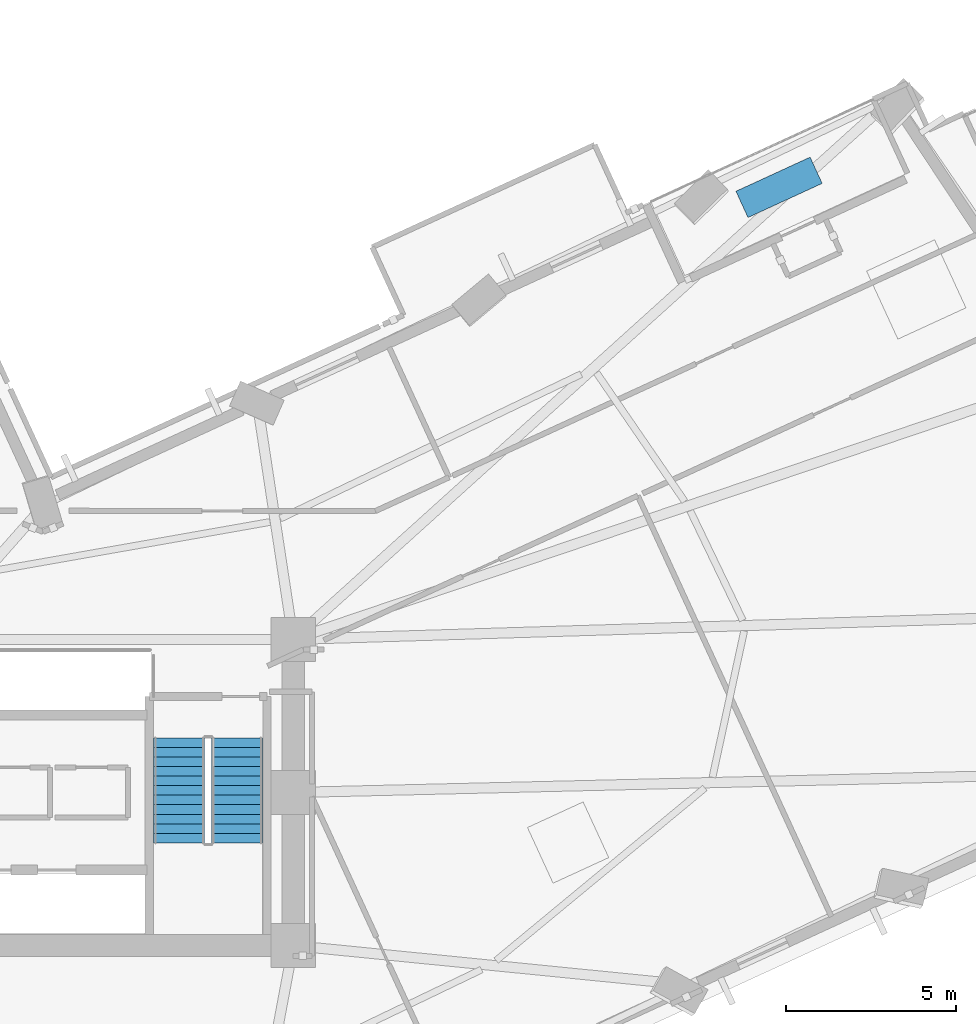
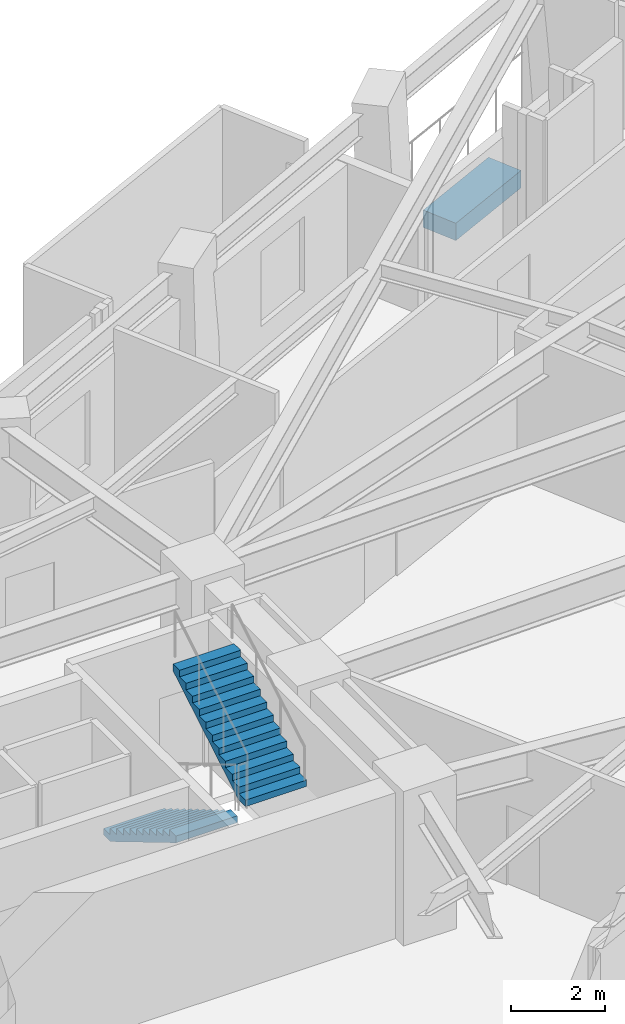
# One storey, part 11 of 16: 2 stair flights, 1 discrete accessory, 1 element without a shape of its own.
"""IFC4 building model written with IfcOpenShell, lengths in metres."""

import ifcopenshell
import ifcopenshell.guid

model = None  # the IFC model being written
_history = None  # IfcOwnerHistory: only IFC2X3 demands one
_inside = {}  # id of a spatial element -> (the spatial element, [elements in it])
_under = {}  # id of a project, library or spatial element -> (it, [spatial elements below it])
_declared = {}  # id of a project -> (the project, [libraries it declares])
_typed = {}  # id of a type object -> (the type object, [elements of that type])
_made_of = {}  # id of a material, layer set ... -> (it, [elements and type objects made of it])


def new_model(schema):
    """Start an empty IFC model of exactly this schema.

    Asked for "IFC4X3", IfcOpenShell would pick the latest addendum, in which some entities
    have other attributes; the version numbers below select the first issue.
    IFC2X3 requires an IfcOwnerHistory on every rooted entity: one is made here for all.
    """
    global model, _history
    if schema == "IFC4X3":
        model = ifcopenshell.file(schema_version=(4, 3, 0, 0))
    else:
        model = ifcopenshell.file(schema=schema)
    _inside.clear()
    _under.clear()
    _declared.clear()
    _typed.clear()
    _made_of.clear()
    _history = None
    if model.schema == "IFC2X3":
        org = make("IfcOrganization", Name="unknown")
        user = make(
            "IfcPersonAndOrganization",
            ThePerson=make("IfcPerson", FamilyName="unknown"),
            TheOrganization=org,
        )
        app = make(
            "IfcApplication",
            ApplicationDeveloper=org,
            Version="unknown",
            ApplicationFullName="unknown",
            ApplicationIdentifier="unknown",
        )
        _history = make(
            "IfcOwnerHistory",
            OwningUser=user,
            OwningApplication=app,
            ChangeAction="ADDED",
            CreationDate=0,
        )
    return model


def make(cls, **values):
    """One entity of the class cls with the attributes given. An attribute that is None is left unset."""
    return model.create_entity(
        cls, **{name: value for name, value in values.items() if value is not None}
    )


def rooted(cls, **values):
    """An entity with a GlobalId (a new one), such as an element, a storey or a relation."""
    return make(cls, GlobalId=ifcopenshell.guid.new(), OwnerHistory=_history, **values)


def si_unit(unit_type, name, prefix=None):
    """IfcSIUnit, for example si_unit("LENGTHUNIT", "METRE", prefix="MILLI")."""
    return make("IfcSIUnit", UnitType=unit_type, Prefix=prefix, Name=name)


def assignment(units):
    """IfcUnitAssignment: the units of a project."""
    return None if units is None else make("IfcUnitAssignment", Units=units)


def point(xyz):
    """IfcCartesianPoint."""
    return None if xyz is None else make("IfcCartesianPoint", Coordinates=xyz)


def direction(xyz):
    """IfcDirection."""
    return None if xyz is None else make("IfcDirection", DirectionRatios=xyz)


def frame(location, z_axis=None, x_axis=None):
    """IfcAxis2Placement3D, a coordinate frame: its origin and axes. An axis left out is left unset."""
    return make(
        "IfcAxis2Placement3D",
        Location=point(location),
        Axis=direction(z_axis),
        RefDirection=direction(x_axis),
    )


def frame_2d(location, x_axis=None):
    """IfcAxis2Placement2D, a coordinate frame in the plane: its origin and x axis."""
    return make(
        "IfcAxis2Placement2D", Location=point(location), RefDirection=direction(x_axis)
    )


def origin():
    """The frame at (0, 0, 0) with its axes left unset."""
    return frame((0.0, 0.0, 0.0))


def origin_2d():
    """The frame at (0, 0) in the plane with its x axis left unset."""
    return frame_2d((0.0, 0.0))


def place(relative_to, where):
    """IfcLocalPlacement: puts the frame where relative to a parent placement (None: the world)."""
    return make(
        "IfcLocalPlacement", PlacementRelTo=relative_to, RelativePlacement=where
    )


def context(
    kind, dimensions, precision=None, world=None, true_north=None, identifier=None
):
    """IfcGeometricRepresentationContext, for example the 3D "Model" context."""
    return make(
        "IfcGeometricRepresentationContext",
        ContextIdentifier=identifier,
        ContextType=kind,
        CoordinateSpaceDimension=dimensions,
        Precision=precision,
        WorldCoordinateSystem=world,
        TrueNorth=true_north,
    )


def subcontext(parent, identifier, kind, view, scale=None):
    """IfcGeometricRepresentationSubContext, for example "Body" below "Model"."""
    return make(
        "IfcGeometricRepresentationSubContext",
        ContextIdentifier=identifier,
        ContextType=kind,
        ParentContext=parent,
        TargetScale=scale,
        TargetView=view,
    )


def project(units=None, contexts=None):
    """IfcProject with its units and contexts."""
    return rooted(
        "IfcProject",
        Name="project",
        RepresentationContexts=contexts,
        UnitsInContext=assignment(units),
    )


def spatial(cls, under=None, at=None, **own):
    """A site, building, storey or space (cls), placed at a placement, below another one or the project."""
    s = rooted(cls, ObjectPlacement=at, **own)
    if under is not None:
        _under.setdefault(under.id(), (under, []))[1].append(s)
    return s


def polyline(points):
    """IfcPolyline through the points."""
    return make("IfcPolyline", Points=[point(p) for p in points])


def profile(cls, at=None, kind="AREA", **sizes):
    """A parametric profile (cls). Its sizes go by their IFC names, for example OverallWidth=200.0."""
    return make(cls, ProfileType=kind, Position=at, **sizes)


def rectangle(**sizes):
    """IfcRectangleProfileDef."""
    return profile("IfcRectangleProfileDef", **sizes)


def outline(outer, holes=None, kind="AREA"):
    """IfcArbitraryClosedProfileDef: a profile drawn as a closed curve; with holes, ...WithVoids."""
    if holes is None:
        return make("IfcArbitraryClosedProfileDef", ProfileType=kind, OuterCurve=outer)
    return make(
        "IfcArbitraryProfileDefWithVoids",
        ProfileType=kind,
        OuterCurve=outer,
        InnerCurves=holes,
    )


def extrude(swept, where, along, depth):
    """IfcExtrudedAreaSolid: the profile swept, set in the frame where, extruded along a direction by depth."""
    return make(
        "IfcExtrudedAreaSolid",
        SweptArea=swept,
        Position=where,
        ExtrudedDirection=direction(along),
        Depth=depth,
    )


def shape(context_of_items, identifier, shape_type, items):
    """IfcShapeRepresentation: the items that make up one representation, for example the "Body"."""
    return make(
        "IfcShapeRepresentation",
        ContextOfItems=context_of_items,
        RepresentationIdentifier=identifier,
        RepresentationType=shape_type,
        Items=items,
    )


def material(Name=None, Category=None):
    """IfcMaterial."""
    return make("IfcMaterial", Name=Name, Category=Category)


def made_of(thing, what):
    """Note that an element or type object is made of a material, layer set ...; save() writes the relation."""
    if what is not None:
        _made_of.setdefault(what.id(), (what, []))[1].append(thing)
    return thing


def type_object(cls, material=None, **own):
    """A type object (cls), such as IfcWallType, which elements share."""
    return made_of(rooted(cls, **own), material)


def element(
    cls,
    number,
    at=None,
    inside=None,
    cuts=None,
    type_object=None,
    material=None,
    context=None,
    identifier="Body",
    shape_type=None,
    held_by="IfcProductDefinitionShape",
    body=None,
    shapes=None,
    **own,
):
    """One element of the class cls, such as IfcWall. Its Tag is "e" and its number.

    at: its placement. inside: the storey or other place that contains it. cuts: it is an
    opening in that element (IfcRelVoidsElement). A single representation is given by context,
    identifier, shape_type and body (its items); several are given by shapes. held_by: the class
    of the entity that holds the representations. save() writes the other relations.
    """
    e = rooted(cls, Tag="e%d" % number, ObjectPlacement=at, **own)
    if body is not None:
        shapes = [shape(context, identifier, shape_type, body)]
    if shapes is not None:
        e.Representation = make(held_by, Representations=shapes)
    if inside is not None:
        _inside.setdefault(inside.id(), (inside, []))[1].append(e)
    if cuts is not None:
        rooted(
            "IfcRelVoidsElement", RelatingBuildingElement=cuts, RelatedOpeningElement=e
        )
    if type_object is not None:
        _typed.setdefault(type_object.id(), (type_object, []))[1].append(e)
    return made_of(e, material)


def aggregate(whole, parts):
    """IfcRelAggregates: a whole, such as a stair, and the parts it consists of."""
    return rooted("IfcRelAggregates", RelatingObject=whole, RelatedObjects=parts)


def save(model, path):
    """Write the relations noted so far, then the file.

    IfcRelAggregates (storeys below a building ...), IfcRelContainedInSpatialStructure (elements
    in a storey), IfcRelDefinesByType, IfcRelAssociatesMaterial and IfcRelDeclares: one each for
    every whole, place, type object, material and project.
    """
    for whole, parts in _under.values():
        aggregate(whole, parts)
    for where, things in _inside.values():
        rooted(
            "IfcRelContainedInSpatialStructure",
            RelatedElements=things,
            RelatingStructure=where,
        )
    for kind, things in _typed.values():
        rooted("IfcRelDefinesByType", RelatedObjects=things, RelatingType=kind)
    for what, things in _made_of.values():
        rooted("IfcRelAssociatesMaterial", RelatedObjects=things, RelatingMaterial=what)
    for by, libraries in _declared.values():
        rooted("IfcRelDeclares", RelatingContext=by, RelatedDefinitions=libraries)
    model.write(path)


model = new_model("IFC4")

# Units and contexts
model_context = context("Model", 3, precision=1e-05, world=origin(), true_north=direction((0.0, 1.0)))
body_context = subcontext(model_context, "Body", "Model", "MODEL_VIEW")
ifc_project = project(units=[si_unit("LENGTHUNIT", "METRE"), si_unit("AREAUNIT", "SQUARE_METRE"), si_unit("VOLUMEUNIT", "CUBIC_METRE"), si_unit("PLANEANGLEUNIT", "RADIAN"), si_unit("MASSUNIT", "GRAM", prefix="KILO")], contexts=[model_context])

# Site, building, storey
site_placement = place(None, origin())
site = spatial("IfcSite", under=ifc_project, at=site_placement, CompositionType="ELEMENT")
building_placement = place(site_placement, origin())
building = spatial("IfcBuilding", under=site, at=building_placement, Name="Gaonmaruhae Medical Tower", CompositionType="ELEMENT")
storey_placement = place(building_placement, frame((0.0, 0.0, 128.39990234375)))
storey = spatial("IfcBuildingStorey", under=building, at=storey_placement, Name="L30", CompositionType="ELEMENT", Elevation=128.39990234375)

# Stair, stair flights
ifc_material_1 = material(Name="Concrete C40/50", Category="concrete")
stair_type = type_object("IfcStairType", Name="ST-T1 Primary Core Escape Dogleg Stair", PredefinedType="TWO_QUARTER_TURN_STAIR", material=ifc_material_1)
stair_placement = place(storey_placement, origin())
stair = element("IfcStair", 1, at=stair_placement, inside=storey, type_object=stair_type, Name="L30 Protected Escape Stair ST-02", PredefinedType="TWO_QUARTER_TURN_STAIR")
stair_flight_type = type_object("IfcStairFlightType", Name="SF-T1 Primary Core Precast Stair Flight", PredefinedType="STRAIGHT", material=ifc_material_1)
stair_flight_1_placement = place(storey_placement, frame((32.25, 13.89990234375, 0.0), z_axis=(0.0, 0.0, 1.0), x_axis=(0.0, -1.0, 0.0)))
stair_flight_1 = element("IfcStairFlight", 2, at=stair_flight_1_placement, type_object=stair_flight_type, Name="ST-02 flight 1", NumberOfRisers=12, NumberOfTreads=11, PredefinedType="STRAIGHT", RiserHeight=0.166666667, TreadLength=0.28, context=body_context, shape_type="SweptSolid", body=[
    extrude(outline(polyline([(0.0, 0.0), (0.0, 0.166748046875), (0.280029296875, 0.166748046875), (0.280029296875, 0.333251953125), (0.56005859375, 0.333251953125), (0.56005859375, 0.5), (0.840087890625, 0.5), (0.840087890625, 0.666748046875), (1.1201171875, 0.666748046875), (1.1201171875, 0.833251953125), (1.39990234375, 0.833251953125), (1.39990234375, 1.0), (1.679931640625, 1.0), (1.679931640625, 1.166748046875), (1.9599609375, 1.166748046875), (1.9599609375, 1.333251953125), (2.239990234375, 1.333251953125), (2.239990234375, 1.5), (2.52001953125, 1.5), (2.52001953125, 1.666748046875), (2.800048828125, 1.666748046875), (2.800048828125, 1.833251953125), (3.080078125, 1.833251953125), (3.080078125, 2.0), (3.080078125, 1.658935546875), (0.29296875, 0.0), (0.0, 0.0)])), frame((0.0, 0.75, 0.0), z_axis=(0.0, -1.0, 0.0), x_axis=(1.0, 0.0, 0.0)), (0.0, 0.0, 1.0), 1.5),
])
stair_flight_2_placement = place(storey_placement, frame((33.949951171875, 10.820068359375, 2.0), z_axis=(0.0, 0.0, 1.0), x_axis=(0.0, 1.0, 0.0)))
stair_flight_2 = element("IfcStairFlight", 3, at=stair_flight_2_placement, type_object=stair_flight_type, Name="ST-02 flight 2", NumberOfRisers=12, NumberOfTreads=11, PredefinedType="STRAIGHT", RiserHeight=0.166666667, TreadLength=0.28, context=body_context, shape_type="SweptSolid", body=[
    extrude(outline(polyline([(0.0, 0.0), (0.0, 0.166748046875), (0.280029296875, 0.166748046875), (0.280029296875, 0.333251953125), (0.56005859375, 0.333251953125), (0.56005859375, 0.5), (0.840087890625, 0.5), (0.840087890625, 0.666748046875), (1.1201171875, 0.666748046875), (1.1201171875, 0.833251953125), (1.39990234375, 0.833251953125), (1.39990234375, 1.0), (1.679931640625, 1.0), (1.679931640625, 1.166748046875), (1.9599609375, 1.166748046875), (1.9599609375, 1.333251953125), (2.239990234375, 1.333251953125), (2.239990234375, 1.5), (2.52001953125, 1.5), (2.52001953125, 1.666748046875), (2.800048828125, 1.666748046875), (2.800048828125, 1.833251953125), (3.080078125, 1.833251953125), (3.080078125, 2.0), (3.080078125, 1.658935546875), (0.29296875, 0.0), (0.0, 0.0)])), frame((0.0, 0.75, 0.0), z_axis=(0.0, -1.0, 0.0), x_axis=(1.0, 0.0, 0.0)), (0.0, 0.0, 1.0), 1.5),
])
aggregate(stair, [stair_flight_1, stair_flight_2])

# Discrete accessory
ifc_material_2 = material(Name="Precast concrete C45/55", Category="concrete")
discrete_accessory_type = type_object("IfcDiscreteAccessoryType", Name="PLN-01 Sky Garden Precast Botanical Planter", PredefinedType="USERDEFINED", material=ifc_material_2)
discrete_accessory_placement = place(storey_placement, frame((49.88037109375, 30.086669921875, 0.0), z_axis=(0.0, 0.0, 1.0), x_axis=(0.908508177527, 0.417867073801, 0.0)))
element("IfcDiscreteAccessory", 4, at=discrete_accessory_placement, inside=storey, type_object=discrete_accessory_type, Name="L30 Sky Garden Botanical Planter SLB-L30-TER", ObjectType="PLANTER", PredefinedType="USERDEFINED", context=body_context, shape_type="SweptSolid", body=[
    extrude(rectangle(XDim=2.39990234375, YDim=0.85009765625, at=origin_2d()), origin(), (0.0, 0.0, 1.0), 0.449951171875),
])

save(model, "model.ifc")
